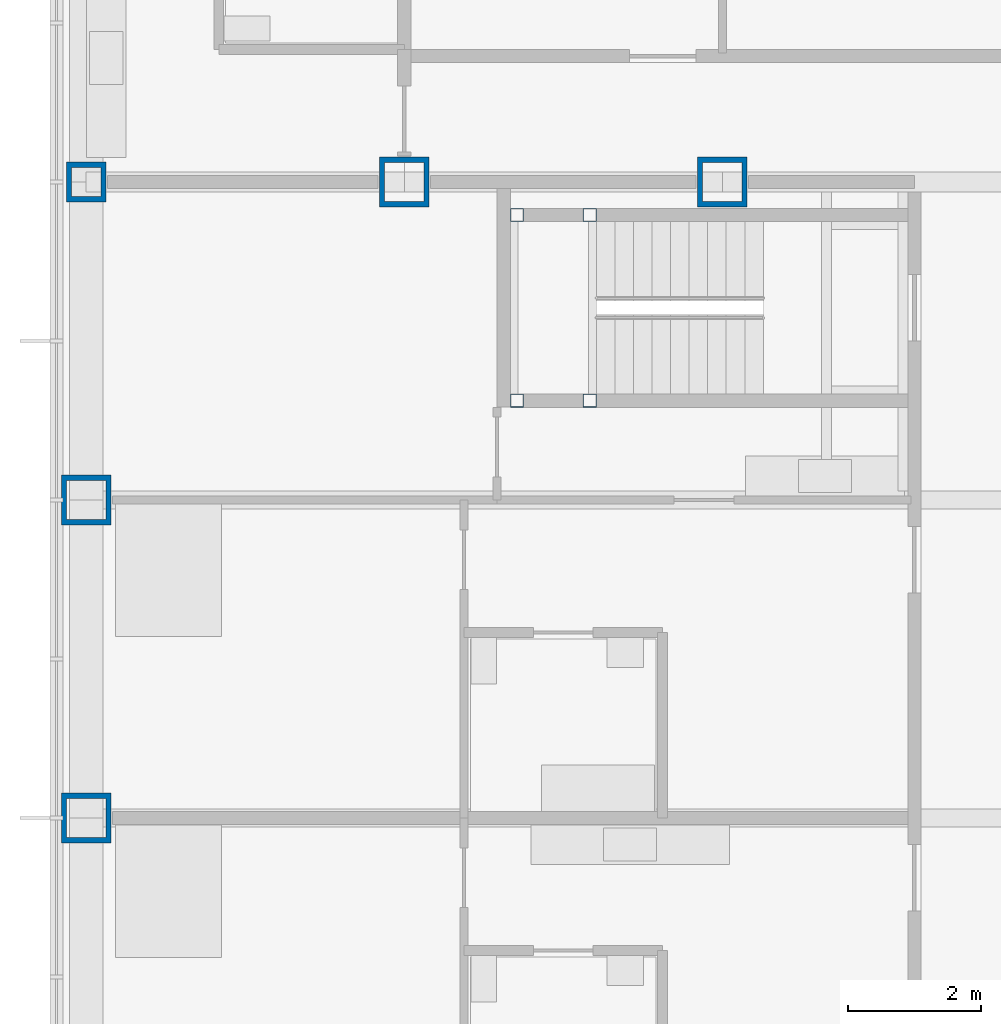
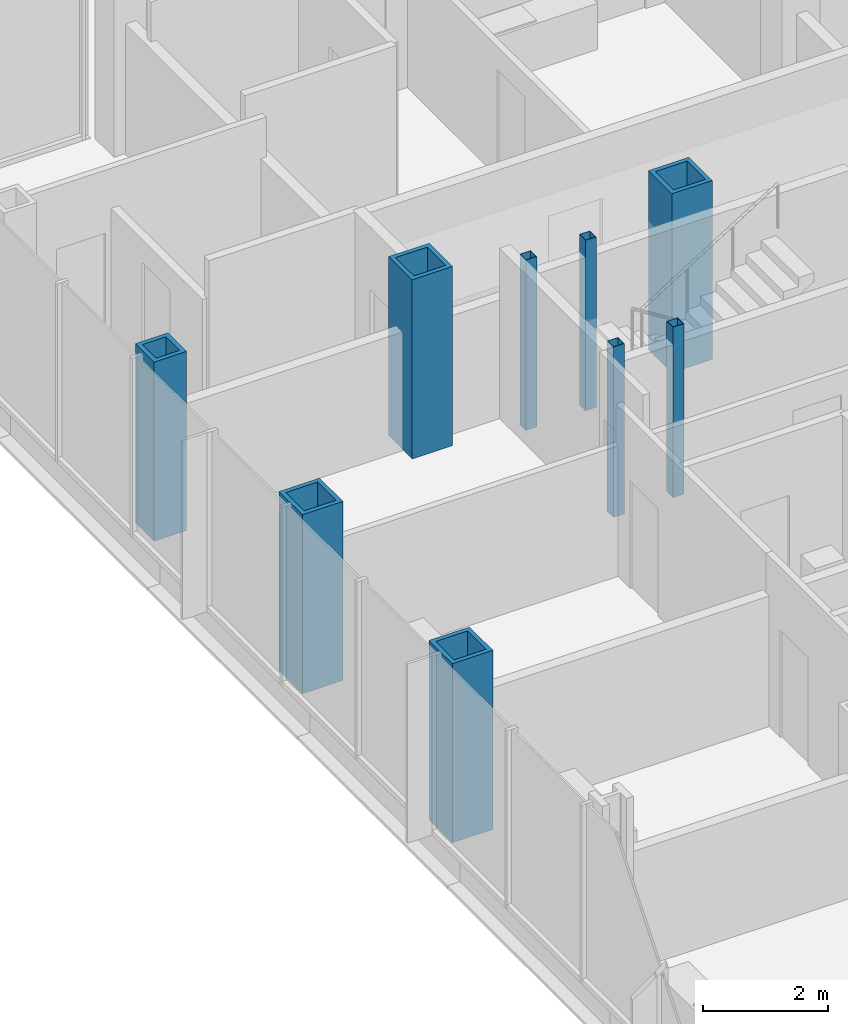
# One storey, part 3 of 21: 9 columns.
"""IFC4 building model written with IfcOpenShell, lengths in metres."""

from ifc_helpers import new_model, si_unit, direction, frame, origin, origin_2d, place, context, subcontext, project, spatial, hollow_rectangle, extrude, material, material_profile, profile_set, type_object, element, save


model = new_model("IFC4")

# Units and contexts
model_context = context("Model", 3, precision=1e-05, world=origin(), true_north=direction((0.0, 1.0)))
body_context = subcontext(model_context, "Body", "Model", "MODEL_VIEW")
ifc_project = project(units=[si_unit("LENGTHUNIT", "METRE"), si_unit("AREAUNIT", "SQUARE_METRE"), si_unit("VOLUMEUNIT", "CUBIC_METRE"), si_unit("PLANEANGLEUNIT", "RADIAN"), si_unit("MASSUNIT", "GRAM", prefix="KILO")], contexts=[model_context])

# Site, building, storey
site_placement = place(None, origin())
site = spatial("IfcSite", under=ifc_project, at=site_placement, CompositionType="ELEMENT")
building_placement = place(site_placement, origin())
building = spatial("IfcBuilding", under=site, at=building_placement, Name="Kvirike Care Tower", CompositionType="ELEMENT")
storey_placement = place(building_placement, frame((0.0, 0.0, 30.5)))
storey = spatial("IfcBuildingStorey", under=building, at=storey_placement, Name="L07", CompositionType="ELEMENT", Elevation=30.5)

# Columns
ifc_material_1 = material(Name="Steel S460", Category="steel")
ifc_material_profile_1 = material_profile(ifc_material_1, hollow_rectangle(XDim=0.60009765625, YDim=0.60009765625, WallThickness=0.080078125, at=origin_2d()), Name="BX 600x600x80")
ifc_profile_set_1 = profile_set([ifc_material_profile_1], Name="Steel S460")
column_type_1 = type_object("IfcColumnType", Name="COLUMN BX 600x600x80", PredefinedType="COLUMN", material=ifc_profile_set_1)
column_placement = place(storey_placement, frame((0.0, 43.199951171875, 0.0), z_axis=(0.0, 0.0, 1.0), x_axis=(0.0, 1.0, 0.0)))
element("IfcColumn", 1, at=column_placement, inside=storey, type_object=column_type_1, Name="Column K3 L07", PredefinedType="COLUMN", context=body_context, shape_type="SweptSolid", body=[
    extrude(hollow_rectangle(XDim=0.60009765625, YDim=0.60009765625, WallThickness=0.080078125, at=origin_2d()), origin(), (0.0, 0.0, 1.0), 3.5),
])
ifc_material_2 = material(Name="Steel S460", Category="steel")
ifc_material_profile_2 = material_profile(ifc_material_2, hollow_rectangle(XDim=0.75, YDim=0.75, WallThickness=0.080078125, at=origin_2d()), Name="BX 750x750x80")
ifc_profile_set_2 = profile_set([ifc_material_profile_2], Name="Steel S460")
column_type_2 = type_object("IfcColumnType", Name="COLUMN BX 750x750x80", PredefinedType="COLUMN", material=ifc_profile_set_2)
for number, where, z_axis, x_axis, name in (
    (2, (0.0, 33.60009765625, 0.0), (0.0, 0.0, 1.0), (1.0, 0.0, 0.0), "Column H3 L07"),
    (3, (0.0, 38.39990234375, 0.0), (0.0, 0.0, 1.0), (1.0, 0.0, 0.0), "Column J3 L07"),
    (4, (4.800048828125, 43.199951171875, 0.0), (0.0, 0.0, 1.0), (0.0, 1.0, 0.0), "Column K4 L07"),
    (5, (9.60009765625, 43.199951171875, 0.0), (0.0, 0.0, 1.0), (0.0, 1.0, 0.0), "Column K5 L07"),
):
    element("IfcColumn", number, at=place(storey_placement, frame(where, z_axis=z_axis, x_axis=x_axis)), inside=storey, type_object=column_type_2, Name=name, PredefinedType="COLUMN", context=body_context, shape_type="SweptSolid", body=[
        extrude(hollow_rectangle(XDim=0.75, YDim=0.75, WallThickness=0.080078125, at=origin_2d()), origin(), (0.0, 0.0, 1.0), 3.5),
    ])
ifc_material_3 = material(Name="Steel S460", Category="steel")
ifc_material_profile_3 = material_profile(ifc_material_3, hollow_rectangle(XDim=0.199951171875, YDim=0.199951171875, WallThickness=0.008056640625, at=origin_2d()), Name="SHS 200x200x8")
ifc_profile_set_3 = profile_set([ifc_material_profile_3], Name="Steel S460")
column_type_3 = type_object("IfcColumnType", Name="STAIR POST SHS 200x200x8", PredefinedType="COLUMN", material=ifc_profile_set_3)
for number, where, z_axis, x_axis, name in (
    (6, (6.5, 42.699951171875, 0.0), (0.0, 0.0, 1.0), (1.0, 0.0, 0.0), "Stair 1 post 1 L07"),
    (7, (6.5, 39.89990234375, 0.0), (0.0, 0.0, 1.0), (1.0, 0.0, 0.0), "Stair 1 post 2 L07"),
    (8, (7.60009765625, 42.699951171875, 0.0), (0.0, 0.0, 1.0), (1.0, 0.0, 0.0), "Stair 1 post 3 L07"),
    (9, (7.60009765625, 39.89990234375, 0.0), (0.0, 0.0, 1.0), (1.0, 0.0, 0.0), "Stair 1 post 4 L07"),
):
    element("IfcColumn", number, at=place(storey_placement, frame(where, z_axis=z_axis, x_axis=x_axis)), inside=storey, type_object=column_type_3, Name=name, PredefinedType="COLUMN", context=body_context, shape_type="SweptSolid", body=[
        extrude(hollow_rectangle(XDim=0.199951171875, YDim=0.199951171875, WallThickness=0.008056640625, at=origin_2d()), origin(), (0.0, 0.0, 1.0), 3.330078125),
    ])

save(model, "model.ifc")
